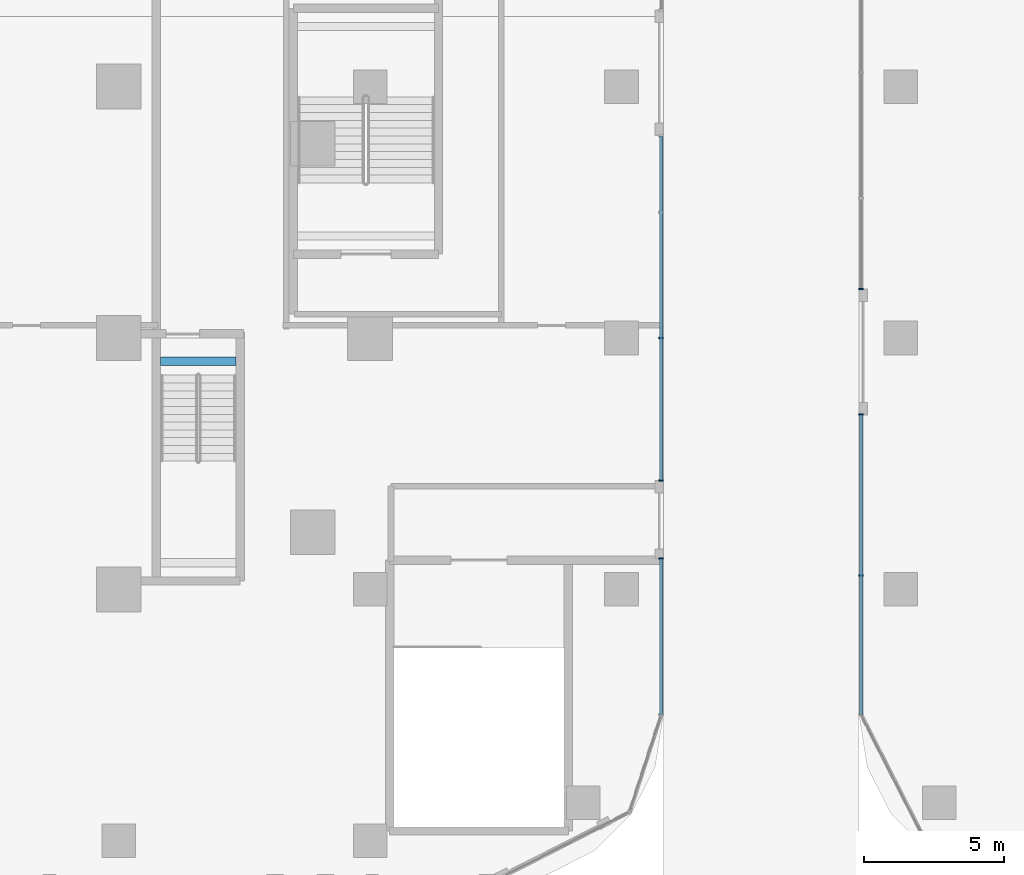
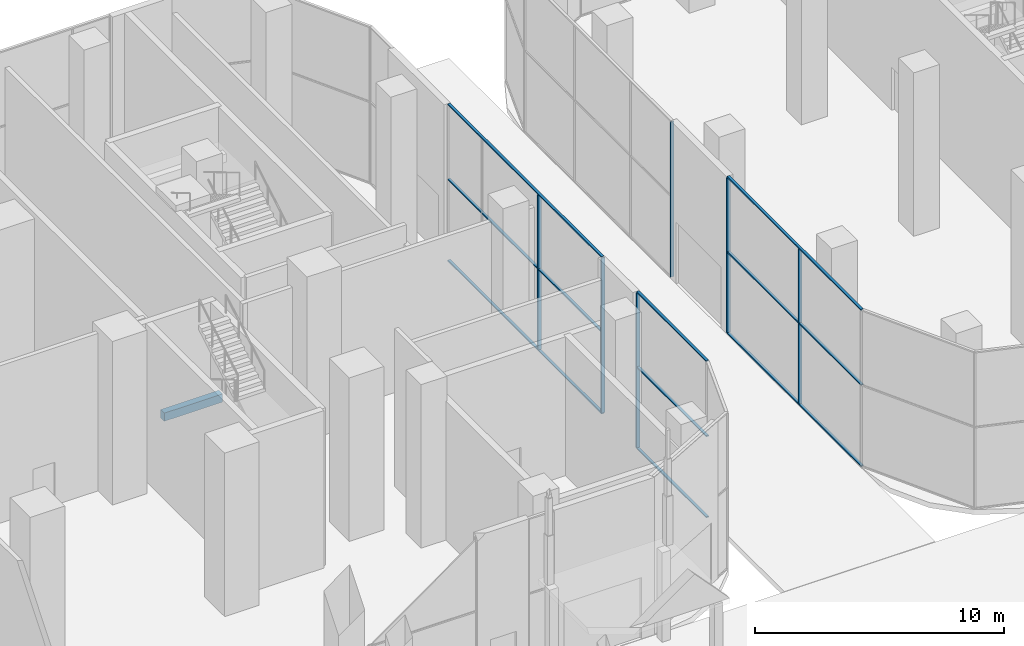
# One storey, part 11 of 54: 15 members, 1 beam, 4 elements without a shape of their own.
"""IFC4 building model written with IfcOpenShell, lengths in metres."""

from ifc_helpers import new_model, si_unit, direction, frame, origin, origin_2d, place, context, subcontext, project, spatial, rectangle, extrude, material, material_profile, profile_set, type_object, element, aggregate, save


model = new_model("IFC4")

# Units and contexts
model_context = context("Model", 3, precision=1e-05, world=origin(), true_north=direction((0.0, 1.0)))
body_context = subcontext(model_context, "Body", "Model", "MODEL_VIEW")
ifc_project = project(units=[si_unit("LENGTHUNIT", "METRE"), si_unit("AREAUNIT", "SQUARE_METRE"), si_unit("VOLUMEUNIT", "CUBIC_METRE"), si_unit("PLANEANGLEUNIT", "RADIAN"), si_unit("MASSUNIT", "GRAM", prefix="KILO")], contexts=[model_context])

# Site, building, storey
site_placement = place(None, origin())
site = spatial("IfcSite", under=ifc_project, at=site_placement, CompositionType="ELEMENT")
building_placement = place(site_placement, origin())
building = spatial("IfcBuilding", under=site, at=building_placement, Name="Ogive Portal Towers", CompositionType="ELEMENT")
storey_placement = place(building_placement, origin())
storey = spatial("IfcBuildingStorey", under=building, at=storey_placement, Name="L00", CompositionType="ELEMENT", Elevation=0.0)

# Beam
ifc_material_1 = material(Name="Concrete C40/50", Category="concrete")
ifc_material_profile_1 = material_profile(ifc_material_1, rectangle(XDim=0.300048828125, YDim=0.39990234375, at=origin_2d()), Name="RC 300x400")
ifc_profile_set_1 = profile_set([ifc_material_profile_1], Name="Concrete C40/50")
beam_type = type_object("IfcBeamType", Name="BEAM RC 300x400", PredefinedType="BEAM", material=ifc_profile_set_1)
beam_placement = place(storey_placement, frame((87.0, 29.669921875, 3.60009765625), z_axis=(1.0, 0.0, 0.0), x_axis=(0.0, 1.0, 0.0)))
element("IfcBeam", 1, at=beam_placement, inside=storey, type_object=beam_type, Name="Landing beam L00", PredefinedType="BEAM", context=body_context, shape_type="SweptSolid", body=[
    extrude(rectangle(XDim=0.300048828125, YDim=0.39990234375, at=origin_2d()), origin(), (0.0, 0.0, 1.0), 2.699951171875),
])

# Curtain wall, member
ifc_material_2 = material(Name="Glass, clear low-iron insulated glazing", Category="glass")
curtain_wall_type = type_object("IfcCurtainWallType", Name="CW PODIUM SHOPFRONT", PredefinedType="NOTDEFINED", material=ifc_material_2)
curtain_wall_1_placement = place(storey_placement, origin())
curtain_wall_1 = element("IfcCurtainWall", 2, at=curtain_wall_1_placement, inside=storey, type_object=curtain_wall_type, Name="A:L00:f05:cw0", PredefinedType="NOTDEFINED")
ifc_material_3 = material(Name="Aluminium 6063 anodised", Category="aluminium")
ifc_material_profile_2 = material_profile(ifc_material_3, rectangle(XDim=0.159912109375, YDim=0.06005859375, at=origin_2d()), Name="AL 60x160")
ifc_profile_set_2 = profile_set([ifc_material_profile_2], Name="Aluminium 6063 anodised")
member_type_1 = type_object("IfcMemberType", Name="CW MULLION 60x160", PredefinedType="MULLION", material=ifc_profile_set_2)
member_1_placement = place(storey_placement, frame((104.919921875, 22.60595703125, 0.06005859375), z_axis=(0.0, 0.0, 1.0), x_axis=(-1.0, 0.0, 0.0)))
member_1 = element("IfcMember", 3, at=member_1_placement, type_object=member_type_1, Name="mullion", PredefinedType="MULLION", context=body_context, shape_type="SweptSolid", body=[
    extrude(rectangle(XDim=0.159912109375, YDim=0.06005859375, at=origin_2d()), origin(), (0.0, 0.0, 1.0), 7.579833984375),
])

# Curtain wall, members
curtain_wall_2_placement = place(storey_placement, origin())
curtain_wall_2 = element("IfcCurtainWall", 4, at=curtain_wall_2_placement, inside=storey, type_object=curtain_wall_type, Name="A:L00:f05:cw1", PredefinedType="NOTDEFINED")
member_2_placement = place(storey_placement, frame((104.919921875, 25.40283203125, 0.06005859375), z_axis=(0.0, 0.0, 1.0), x_axis=(-1.0, 0.0, 0.0)))
member_2 = element("IfcMember", 5, at=member_2_placement, type_object=member_type_1, Name="mullion", PredefinedType="MULLION", context=body_context, shape_type="SweptSolid", body=[
    extrude(rectangle(XDim=0.159912109375, YDim=0.06005859375, at=origin_2d()), origin(), (0.0, 0.0, 1.0), 7.579833984375),
])
member_3_placement = place(storey_placement, frame((104.919921875, 30.5, 0.06005859375), z_axis=(0.0, 0.0, 1.0), x_axis=(-1.0, 0.0, 0.0)))
member_3 = element("IfcMember", 6, at=member_3_placement, type_object=member_type_1, Name="mullion", PredefinedType="MULLION", context=body_context, shape_type="SweptSolid", body=[
    extrude(rectangle(XDim=0.159912109375, YDim=0.06005859375, at=origin_2d()), origin(), (0.0, 0.0, 1.0), 7.579833984375),
])

# Curtain wall, member
curtain_wall_3_placement = place(storey_placement, origin())
curtain_wall_3 = element("IfcCurtainWall", 7, at=curtain_wall_3_placement, inside=storey, type_object=curtain_wall_type, Name="B:L00:f11:cw0", PredefinedType="NOTDEFINED")
member_4_placement = place(storey_placement, frame((112.080078125, 32.251220703125, 0.06005859375), z_axis=(0.0, 0.0, 1.0), x_axis=(1.0, 0.0, 0.0)))
member_4 = element("IfcMember", 8, at=member_4_placement, type_object=member_type_1, Name="mullion", PredefinedType="MULLION", context=body_context, shape_type="SweptSolid", body=[
    extrude(rectangle(XDim=0.159912109375, YDim=0.06005859375, at=origin_2d()), origin(), (0.0, 0.0, 1.0), 7.579833984375),
])
aggregate(curtain_wall_3, [member_4])

# Curtain wall, members
curtain_wall_4_placement = place(storey_placement, origin())
curtain_wall_4 = element("IfcCurtainWall", 9, at=curtain_wall_4_placement, inside=storey, type_object=curtain_wall_type, Name="B:L00:f11:cw1", PredefinedType="NOTDEFINED")
member_5_placement = place(storey_placement, frame((112.080078125, 27.756591796875, 0.06005859375), z_axis=(0.0, 0.0, 1.0), x_axis=(1.0, 0.0, 0.0)))
member_5 = element("IfcMember", 10, at=member_5_placement, type_object=member_type_1, Name="mullion", PredefinedType="MULLION", context=body_context, shape_type="SweptSolid", body=[
    extrude(rectangle(XDim=0.159912109375, YDim=0.06005859375, at=origin_2d()), origin(), (0.0, 0.0, 1.0), 7.579833984375),
])
member_6_placement = place(storey_placement, frame((112.080078125, 22.0, 0.06005859375), z_axis=(0.0, 0.0, 1.0), x_axis=(1.0, 0.0, 0.0)))
member_6 = element("IfcMember", 11, at=member_6_placement, type_object=member_type_1, Name="mullion", PredefinedType="MULLION", context=body_context, shape_type="SweptSolid", body=[
    extrude(rectangle(XDim=0.159912109375, YDim=0.06005859375, at=origin_2d()), origin(), (0.0, 0.0, 1.0), 7.579833984375),
])

# Member
ifc_material_profile_3 = material_profile(ifc_material_3, rectangle(XDim=0.1201171875, YDim=0.06005859375, at=origin_2d()), Name="AL 120x60")
ifc_profile_set_3 = profile_set([ifc_material_profile_3], Name="Aluminium 6063 anodised")
member_type_2 = type_object("IfcMemberType", Name="CW TRANSOM 60x120", PredefinedType="USERDEFINED", material=ifc_profile_set_3)
member_7_placement = place(storey_placement, frame((104.919921875, 17.0126953125, 0.030029296875), z_axis=(0.0, 1.0, 0.0), x_axis=(-1.0, 0.0, 0.0)))
member_7 = element("IfcMember", 12, at=member_7_placement, type_object=member_type_2, Name="transom", ObjectType="TRANSOM", PredefinedType="USERDEFINED", context=body_context, shape_type="SweptSolid", body=[
    extrude(rectangle(XDim=0.1201171875, YDim=0.06005859375, at=origin_2d()), origin(), (0.0, 0.0, 1.0), 5.59326171875),
])

member_8_placement = place(storey_placement, frame((104.919921875, 17.0126953125, 4.0), z_axis=(0.0, 1.0, 0.0), x_axis=(-1.0, 0.0, 0.0)))
member_8 = element("IfcMember", 13, at=member_8_placement, type_object=member_type_2, Name="transom", ObjectType="TRANSOM", PredefinedType="USERDEFINED", context=body_context, shape_type="SweptSolid", body=[
    extrude(rectangle(XDim=0.1201171875, YDim=0.06005859375, at=origin_2d()), origin(), (0.0, 0.0, 1.0), 5.59326171875),
])

member_9_placement = place(storey_placement, frame((104.919921875, 17.0126953125, 7.669921875), z_axis=(0.0, 1.0, 0.0), x_axis=(-1.0, 0.0, 0.0)))
member_9 = element("IfcMember", 14, at=member_9_placement, type_object=member_type_2, Name="transom", ObjectType="TRANSOM", PredefinedType="USERDEFINED", context=body_context, shape_type="SweptSolid", body=[
    extrude(rectangle(XDim=0.1201171875, YDim=0.06005859375, at=origin_2d()), origin(), (0.0, 0.0, 1.0), 5.59326171875),
])

aggregate(curtain_wall_1, [member_7, member_8, member_9, member_1])

member_10_placement = place(storey_placement, frame((104.919921875, 25.40283203125, 0.030029296875), z_axis=(0.0, 1.0, 0.0), x_axis=(-1.0, 0.0, 0.0)))
member_10 = element("IfcMember", 15, at=member_10_placement, type_object=member_type_2, Name="transom", ObjectType="TRANSOM", PredefinedType="USERDEFINED", context=body_context, shape_type="SweptSolid", body=[
    extrude(rectangle(XDim=0.1201171875, YDim=0.06005859375, at=origin_2d()), origin(), (0.0, 0.0, 1.0), 12.33544921875),
])

member_11_placement = place(storey_placement, frame((104.919921875, 25.40283203125, 4.0), z_axis=(0.0, 1.0, 0.0), x_axis=(-1.0, 0.0, 0.0)))
member_11 = element("IfcMember", 16, at=member_11_placement, type_object=member_type_2, Name="transom", ObjectType="TRANSOM", PredefinedType="USERDEFINED", context=body_context, shape_type="SweptSolid", body=[
    extrude(rectangle(XDim=0.1201171875, YDim=0.06005859375, at=origin_2d()), origin(), (0.0, 0.0, 1.0), 12.33544921875),
])

member_12_placement = place(storey_placement, frame((104.919921875, 25.40283203125, 7.669921875), z_axis=(0.0, 1.0, 0.0), x_axis=(-1.0, 0.0, 0.0)))
member_12 = element("IfcMember", 17, at=member_12_placement, type_object=member_type_2, Name="transom", ObjectType="TRANSOM", PredefinedType="USERDEFINED", context=body_context, shape_type="SweptSolid", body=[
    extrude(rectangle(XDim=0.1201171875, YDim=0.06005859375, at=origin_2d()), origin(), (0.0, 0.0, 1.0), 12.33544921875),
])

aggregate(curtain_wall_2, [member_10, member_11, member_12, member_2, member_3])

member_13_placement = place(storey_placement, frame((112.080078125, 27.756591796875, 0.030029296875), z_axis=(0.0, -1.0, 0.0), x_axis=(1.0, 0.0, 0.0)))
member_13 = element("IfcMember", 18, at=member_13_placement, type_object=member_type_2, Name="transom", ObjectType="TRANSOM", PredefinedType="USERDEFINED", context=body_context, shape_type="SweptSolid", body=[
    extrude(rectangle(XDim=0.1201171875, YDim=0.06005859375, at=origin_2d()), origin(), (0.0, 0.0, 1.0), 10.7373046875),
])

member_14_placement = place(storey_placement, frame((112.080078125, 27.756591796875, 4.0), z_axis=(0.0, -1.0, 0.0), x_axis=(1.0, 0.0, 0.0)))
member_14 = element("IfcMember", 19, at=member_14_placement, type_object=member_type_2, Name="transom", ObjectType="TRANSOM", PredefinedType="USERDEFINED", context=body_context, shape_type="SweptSolid", body=[
    extrude(rectangle(XDim=0.1201171875, YDim=0.06005859375, at=origin_2d()), origin(), (0.0, 0.0, 1.0), 10.7373046875),
])

member_15_placement = place(storey_placement, frame((112.080078125, 27.756591796875, 7.669921875), z_axis=(0.0, -1.0, 0.0), x_axis=(1.0, 0.0, 0.0)))
member_15 = element("IfcMember", 20, at=member_15_placement, type_object=member_type_2, Name="transom", ObjectType="TRANSOM", PredefinedType="USERDEFINED", context=body_context, shape_type="SweptSolid", body=[
    extrude(rectangle(XDim=0.1201171875, YDim=0.06005859375, at=origin_2d()), origin(), (0.0, 0.0, 1.0), 10.7373046875),
])

aggregate(curtain_wall_4, [member_13, member_14, member_15, member_5, member_6])

save(model, "model.ifc")
